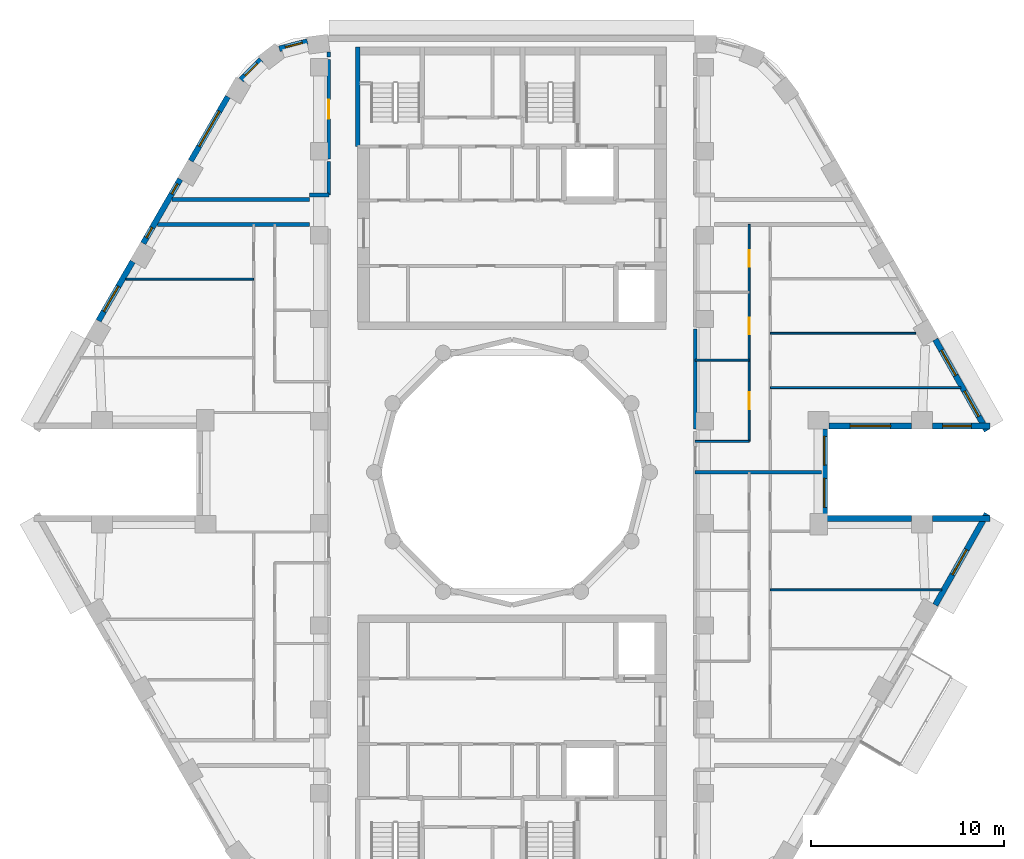
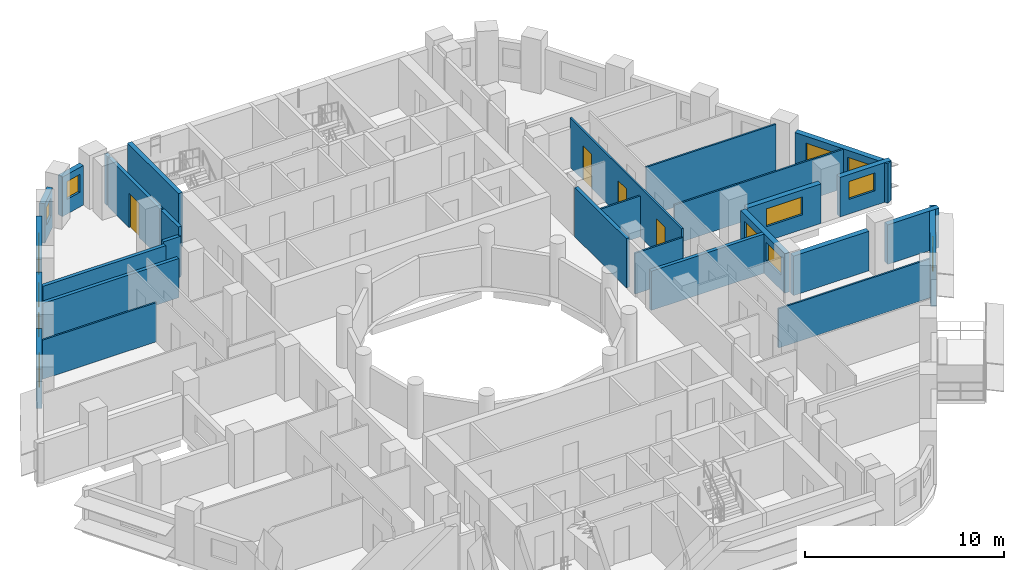
# One storey, part 6 of 12: 28 walls, 13 windows, 4 doors, 17 openings.
"""IFC4 building model written with IfcOpenShell, lengths in metres."""

from ifc_helpers import new_model, si_unit, direction, frame, frame_2d, origin, place, context, subcontext, project, spatial, rectangle, extrude, material, layer, layer_set, type_object, element, fill, save


model = new_model("IFC4")

# Units and contexts
model_context = context("Model", 3, precision=1e-05, world=origin(), true_north=direction((0.0, 1.0)))
body_context = subcontext(model_context, "Body", "Model", "MODEL_VIEW")
ifc_project = project(units=[si_unit("LENGTHUNIT", "METRE"), si_unit("AREAUNIT", "SQUARE_METRE"), si_unit("VOLUMEUNIT", "CUBIC_METRE"), si_unit("PLANEANGLEUNIT", "RADIAN"), si_unit("MASSUNIT", "GRAM", prefix="KILO")], contexts=[model_context])

# Site, building, storey
site_placement = place(None, origin())
site = spatial("IfcSite", under=ifc_project, at=site_placement, CompositionType="ELEMENT")
building_placement = place(site_placement, origin())
building = spatial("IfcBuilding", under=site, at=building_placement, Name="Nakaniwa Court", CompositionType="ELEMENT")
storey_placement = place(building_placement, frame((0.0, 0.0, 232.800048828125)))
storey = spatial("IfcBuildingStorey", under=building, at=storey_placement, Name="L60", CompositionType="ELEMENT", Elevation=232.800048828125)

# Walls
ifc_material_1 = material(Name="Acoustic double stud partition")
ifc_layer_1 = layer(ifc_material_1, 0.199951171875)
ifc_layer_set_1 = layer_set([ifc_layer_1], Name="Acoustic double stud partition")
wall_type_1 = type_object("IfcWallType", Name="Acoustic double stud partition 200", PredefinedType="PARTITIONING", material=ifc_layer_set_1)
wall_1_placement = place(storey_placement, frame((89.5, 82.237060546875, 0.0), z_axis=(0.0, 0.0, 1.0), x_axis=(0.0, 1.0, 0.0)))
element("IfcWall", 1, at=wall_1_placement, inside=storey, type_object=wall_type_1, Name="Partition PW-062", PredefinedType="PARTITIONING", context=body_context, shape_type="SweptSolid", body=[
    extrude(rectangle(XDim=5.18603515625, YDim=0.199951171875, at=frame_2d((2.593017578125, 0.0))), origin(), (0.0, 0.0, 1.0), 3.02490234375),
])
wall_2_placement = place(storey_placement, frame((61.611328125, 92.85009765625, 0.0), z_axis=(0.0, 0.0, 1.0), x_axis=(1.0, 0.0, 0.0)))
element("IfcWall", 2, at=wall_2_placement, inside=storey, type_object=wall_type_1, Name="Partition PW-067", PredefinedType="PARTITIONING", context=body_context, shape_type="SweptSolid", body=[
    extrude(rectangle(XDim=7.888671875, YDim=0.199951171875, at=frame_2d((3.9443359375, 0.0))), origin(), (0.0, 0.0, 1.0), 2.405029296875),
])
wall_3_placement = place(storey_placement, frame((69.5, 94.375, 0.0), z_axis=(0.0, 0.0, 1.0), x_axis=(1.0, 0.0, 0.0)))
element("IfcWall", 3, at=wall_3_placement, inside=storey, type_object=wall_type_1, Name="Partition PW-069", PredefinedType="PARTITIONING", context=body_context, shape_type="SweptSolid", body=[
    extrude(rectangle(XDim=1.0, YDim=0.199951171875, at=frame_2d((0.5, 0.0))), origin(), (0.0, 0.0, 1.0), 2.5048828125),
])
wall_4_placement = place(storey_placement, frame((62.36181640625, 94.14990234375, 0.0), z_axis=(0.0, 0.0, 1.0), x_axis=(1.0, 0.0, 0.0)))
element("IfcWall", 4, at=wall_4_placement, inside=storey, type_object=wall_type_1, Name="Partition PW-071", PredefinedType="PARTITIONING", context=body_context, shape_type="SweptSolid", body=[
    extrude(rectangle(XDim=7.13818359375, YDim=0.199951171875, at=frame_2d((3.569091796875, 0.0))), origin(), (0.0, 0.0, 1.0), 2.405029296875),
])
wall_5_placement = place(storey_placement, frame((70.5, 94.3720703125, 0.0), z_axis=(0.0, 0.0, 1.0), x_axis=(0.0, 1.0, 0.0)))
element("IfcWall", 5, at=wall_5_placement, inside=storey, type_object=wall_type_1, Name="Partition PW-087", PredefinedType="PARTITIONING", context=body_context, shape_type="SweptSolid", body=[
    extrude(rectangle(XDim=1.7509765625, YDim=0.199951171875, at=frame_2d((0.87548828125, 0.0))), origin(), (0.0, 0.0, 1.0), 3.02490234375),
])

# Wall, opening, door
wall_6_placement = place(storey_placement, frame((70.5, 96.237060546875, 0.0), z_axis=(0.0, 0.0, 1.0), x_axis=(0.0, 1.0, 0.0)))
wall_6 = element("IfcWall", 6, at=wall_6_placement, inside=storey, type_object=wall_type_1, Name="Partition PW-088", PredefinedType="PARTITIONING", context=body_context, shape_type="SweptSolid", body=[
    extrude(rectangle(XDim=5.176025390625, YDim=0.199951171875, at=frame_2d((2.587890625, 0.0))), origin(), (0.0, 0.0, 1.0), 3.02490234375),
])
opening_1_placement = place(wall_6_placement, frame((2.087890625, 0.0, 0.0)))
opening_1 = element("IfcOpeningElement", 7, at=opening_1_placement, cuts=wall_6, Name="Opening D-02-05", PredefinedType="OPENING", context=body_context, shape_type="SweptSolid", body=[
    extrude(rectangle(XDim=1.0, YDim=2.10009765625, at=frame_2d((0.5, 1.050048828125))), frame((0.0, 0.10986328125, 0.0), z_axis=(0.0, -1.0, 0.0), x_axis=(1.0, 0.0, 0.0)), (0.0, 0.0, 1.0), 0.219970703125),
])
ifc_material_2 = material(Name="Solid core timber door set, black veneer", Category="wood")
door_type_1 = type_object("IfcDoorType", Name="Internal door 1000", OperationType="NOTDEFINED", PredefinedType="DOOR", material=ifc_material_2)
door_1_placement = place(opening_1_placement, origin())
door_1 = element("IfcDoor", 8, at=door_1_placement, inside=storey, type_object=door_type_1, Name="Door D-02-05 L60-061", OperationType="SINGLE_SWING_RIGHT", OverallHeight=2.10009765625, OverallWidth=1.0, PredefinedType="DOOR", context=body_context, shape_type="SweptSolid", body=[
    extrude(rectangle(XDim=1.0, YDim=2.10009765625, at=frame_2d((0.5, 1.050048828125))), frame((0.0, 0.02490234375, 0.0), z_axis=(0.0, -1.0, 0.0), x_axis=(1.0, 0.0, 0.0)), (0.0, 0.0, 1.0), 0.050048828125),
])
fill(opening_1, door_1)

# Walls
wall_7_placement = place(storey_placement, frame((70.5, 101.527099609375, 0.0), z_axis=(0.0, 0.0, 1.0), x_axis=(0.0, 1.0, 0.0)))
element("IfcWall", 9, at=wall_7_placement, inside=storey, type_object=wall_type_1, Name="Partition PW-089", PredefinedType="PARTITIONING", context=body_context, shape_type="SweptSolid", body=[
    extrude(rectangle(XDim=0.273681640625, YDim=0.199951171875, at=frame_2d((0.13671875, 0.0))), origin(), (0.0, 0.0, 1.0), 3.02490234375),
])
wall_8_placement = place(storey_placement, frame((89.5, 80.0, 0.0), z_axis=(0.0, 0.0, 1.0), x_axis=(1.0, 0.0, 0.0)))
element("IfcWall", 10, at=wall_8_placement, inside=storey, type_object=wall_type_1, Name="Partition PW-095", PredefinedType="PARTITIONING", context=body_context, shape_type="SweptSolid", body=[
    extrude(rectangle(XDim=6.549560546875, YDim=0.199951171875, at=frame_2d((3.27490234375, 0.0))), origin(), (0.0, 0.0, 1.0), 2.405029296875),
])

# Wall, opening, window
ifc_material_3 = material(Name="Charcoal ceramic cladding")
ifc_layer_2 = layer(ifc_material_3, 0.02, Name="Ceramic cladding")
ifc_material_4 = material(Name="Ventilated air cavity")
ifc_layer_3 = layer(ifc_material_4, 0.04, ventilated=True, Name="Ventilated cavity")
ifc_material_5 = material(Name="Mineral wool insulation")
ifc_layer_4 = layer(ifc_material_5, 0.1, Name="Insulation")
ifc_material_6 = material(Name="Cement bonded sheathing board")
ifc_layer_5 = layer(ifc_material_6, 0.012, Name="Sheathing")
ifc_material_7 = material(Name="Cold-formed galvanised stud frame with mineral wool infill")
ifc_layer_6 = layer(ifc_material_7, 0.1, Name="Stud frame")
ifc_material_8 = material(Name="Fire-rated gypsum plasterboard lining")
ifc_layer_7 = layer(ifc_material_8, 0.028, Name="Lining")
ifc_layer_set_2 = layer_set([ifc_layer_2, ifc_layer_3, ifc_layer_4, ifc_layer_5, ifc_layer_6, ifc_layer_7], Name="Charcoal ceramic faced external wall system")
wall_type_2 = type_object("IfcWallType", Name="Black ceramic faced external wall 300", PredefinedType="SOLIDWALL", material=ifc_layer_set_2)
wall_9_placement = place(storey_placement, frame((96.445556640625, 82.39990234375, 0.0), z_axis=(0.0, 0.0, 1.0), x_axis=(1.0, 0.0, 0.0)))
wall_9 = element("IfcWall", 11, at=wall_9_placement, inside=storey, type_object=wall_type_2, Name="L60 external wall 00", PredefinedType="SOLIDWALL", context=body_context, shape_type="SweptSolid", body=[
    extrude(rectangle(XDim=4.2724609375, YDim=0.300048828125, at=frame_2d((2.13623046875, 0.0))), origin(), (0.0, 0.0, 1.0), 2.425048828125),
])
opening_2_placement = place(wall_9_placement, frame((1.086181640625, 0.0, 0.89990234375)))
opening_2 = element("IfcOpeningElement", 12, at=opening_2_placement, cuts=wall_9, Name="Opening W7.01", PredefinedType="OPENING", context=body_context, shape_type="SweptSolid", body=[
    extrude(rectangle(XDim=2.10009765625, YDim=1.10009765625, at=frame_2d((1.050048828125, 0.550048828125))), frame((0.0, 0.159912109375, 0.0), z_axis=(0.0, -1.0, 0.0), x_axis=(1.0, 0.0, 0.0)), (0.0, 0.0, 1.0), 0.320068359375),
])
ifc_material_9 = material(Name="Black anodised aluminium frame with dark low-E laminated double glazing", Category="aluminium")
window_type_1 = type_object("IfcWindowType", Name="Dark glass window 2100x1100 sill 900", PartitioningType="SINGLE_PANEL", PredefinedType="WINDOW", material=ifc_material_9)
window_1_placement = place(opening_2_placement, origin())
window_1 = element("IfcWindow", 13, at=window_1_placement, inside=storey, type_object=window_type_1, Name="L60 living window 00-0", OverallHeight=1.10009765625, OverallWidth=2.10009765625, PartitioningType="SINGLE_PANEL", PredefinedType="WINDOW", context=body_context, shape_type="SweptSolid", body=[
    extrude(rectangle(XDim=2.10009765625, YDim=1.10009765625, at=frame_2d((1.050048828125, 0.550048828125))), frame((0.0, 0.030029296875, 0.0), z_axis=(0.0, -1.0, 0.0), x_axis=(1.0, 0.0, 0.0)), (0.0, 0.0, 1.0), 0.06005859375),
])
fill(opening_2, window_1)

wall_10_placement = place(storey_placement, frame((101.81005859375, 82.39990234375, 0.0), z_axis=(0.0, 0.0, 1.0), x_axis=(1.0, 0.0, 0.0)))
wall_10 = element("IfcWall", 14, at=wall_10_placement, inside=storey, type_object=wall_type_2, Name="L60 external wall 01", PredefinedType="SOLIDWALL", context=body_context, shape_type="SweptSolid", body=[
    extrude(rectangle(XDim=2.98779296875, YDim=0.300048828125, at=frame_2d((1.493896484375, 0.0))), origin(), (0.0, 0.0, 1.0), 2.425048828125),
])
opening_3_placement = place(wall_10_placement, frame((0.51904296875, 0.0, 0.89990234375)))
opening_3 = element("IfcOpeningElement", 15, at=opening_3_placement, cuts=wall_10, Name="Opening W5.02", PredefinedType="OPENING", context=body_context, shape_type="SweptSolid", body=[
    extrude(rectangle(XDim=1.5, YDim=1.10009765625, at=frame_2d((0.75, 0.550048828125))), frame((0.0, 0.159912109375, 0.0), z_axis=(0.0, -1.0, 0.0), x_axis=(1.0, 0.0, 0.0)), (0.0, 0.0, 1.0), 0.320068359375),
])
window_type_2 = type_object("IfcWindowType", Name="Dark glass window 1500x1100 sill 900", PartitioningType="SINGLE_PANEL", PredefinedType="WINDOW", material=ifc_material_9)
window_2_placement = place(opening_3_placement, origin())
window_2 = element("IfcWindow", 16, at=window_2_placement, inside=storey, type_object=window_type_2, Name="L60 living window 01-0", OverallHeight=1.10009765625, OverallWidth=1.5, PartitioningType="SINGLE_PANEL", PredefinedType="WINDOW", context=body_context, shape_type="SweptSolid", body=[
    extrude(rectangle(XDim=1.5, YDim=1.10009765625, at=frame_2d((0.75, 0.550048828125))), frame((0.0, 0.030029296875, 0.0), z_axis=(0.0, -1.0, 0.0), x_axis=(1.0, 0.0, 0.0)), (0.0, 0.0, 1.0), 0.06005859375),
])
fill(opening_3, window_2)

# Wall, openings, windows
wall_11_placement = place(storey_placement, frame((104.627197265625, 82.153564453125, 0.0), z_axis=(0.0, 0.0, 1.0), x_axis=(-0.492080931903, 0.870549456641, 0.0)))
wall_11 = element("IfcWall", 17, at=wall_11_placement, inside=storey, type_object=wall_type_2, Name="L60 external wall 02", PredefinedType="SOLIDWALL", context=body_context, shape_type="SweptSolid", body=[
    extrude(rectangle(XDim=5.436767578125, YDim=0.300048828125, at=frame_2d((2.71826171875, 0.0))), origin(), (0.0, 0.0, 1.0), 2.425048828125),
])
opening_4_placement = place(wall_11_placement, frame((0.857177734375, 0.0, 0.89990234375)))
opening_4 = element("IfcOpeningElement", 18, at=opening_4_placement, cuts=wall_11, Name="Opening W5.03", PredefinedType="OPENING", context=body_context, shape_type="SweptSolid", body=[
    extrude(rectangle(XDim=1.5, YDim=1.10009765625, at=frame_2d((0.75, 0.550048828125))), frame((0.0, 0.159912109375, 0.0), z_axis=(0.0, -1.0, 0.0), x_axis=(1.0, 0.0, 0.0)), (0.0, 0.0, 1.0), 0.320068359375),
])
opening_5_placement = place(wall_11_placement, frame((3.287109375, 0.0, 0.89990234375)))
opening_5 = element("IfcOpeningElement", 19, at=opening_5_placement, cuts=wall_11, Name="Opening W5.04", PredefinedType="OPENING", context=body_context, shape_type="SweptSolid", body=[
    extrude(rectangle(XDim=1.5, YDim=1.10009765625, at=frame_2d((0.75, 0.550048828125))), frame((0.0, 0.159912109375, 0.0), z_axis=(0.0, -1.0, 0.0), x_axis=(1.0, 0.0, 0.0)), (0.0, 0.0, 1.0), 0.320068359375),
])
window_3_placement = place(opening_4_placement, origin())
window_3 = element("IfcWindow", 20, at=window_3_placement, inside=storey, type_object=window_type_2, Name="L60 living window 02-0", OverallHeight=1.10009765625, OverallWidth=1.5, PartitioningType="SINGLE_PANEL", PredefinedType="WINDOW", context=body_context, shape_type="SweptSolid", body=[
    extrude(rectangle(XDim=1.5, YDim=1.10009765625, at=frame_2d((0.75, 0.550048828125))), frame((0.0, 0.030029296875, 0.0), z_axis=(0.0, -1.0, 0.0), x_axis=(1.0, 0.0, 0.0)), (0.0, 0.0, 1.0), 0.06005859375),
])
fill(opening_4, window_3)
window_4_placement = place(opening_5_placement, origin())
window_4 = element("IfcWindow", 21, at=window_4_placement, inside=storey, type_object=window_type_2, Name="L60 bedroom window 02-1", OverallHeight=1.10009765625, OverallWidth=1.5, PartitioningType="SINGLE_PANEL", PredefinedType="WINDOW", context=body_context, shape_type="SweptSolid", body=[
    extrude(rectangle(XDim=1.5, YDim=1.10009765625, at=frame_2d((0.75, 0.550048828125))), frame((0.0, 0.030029296875, 0.0), z_axis=(0.0, -1.0, 0.0), x_axis=(1.0, 0.0, 0.0)), (0.0, 0.0, 1.0), 0.06005859375),
])
fill(opening_5, window_4)

# Wall, opening, window
wall_12_placement = place(storey_placement, frame((69.386474609375, 102.333251953125, 0.0), z_axis=(0.0, 0.0, 1.0), x_axis=(-0.968895303033, -0.247470991757, 0.0)))
wall_12 = element("IfcWall", 22, at=wall_12_placement, inside=storey, type_object=wall_type_2, Name="L60 external wall 09", PredefinedType="SOLIDWALL", context=body_context, shape_type="SweptSolid", body=[
    extrude(rectangle(XDim=1.50048828125, YDim=0.300048828125, at=frame_2d((0.750244140625, 0.0))), origin(), (0.0, 0.0, 1.0), 2.425048828125),
])
opening_6_placement = place(wall_12_placement, frame((0.27587890625, 0.0, 0.89990234375)))
opening_6 = element("IfcOpeningElement", 23, at=opening_6_placement, cuts=wall_12, Name="Opening W9.11", PredefinedType="OPENING", context=body_context, shape_type="SweptSolid", body=[
    extrude(rectangle(XDim=0.89990234375, YDim=1.10009765625, at=frame_2d((0.449951171875, 0.550048828125))), frame((0.0, 0.159912109375, 0.0), z_axis=(0.0, -1.0, 0.0), x_axis=(1.0, 0.0, 0.0)), (0.0, 0.0, 1.0), 0.320068359375),
])
window_type_3 = type_object("IfcWindowType", Name="Dark glass window 900x1100 sill 900", PartitioningType="SINGLE_PANEL", PredefinedType="WINDOW", material=ifc_material_9)
window_5_placement = place(opening_6_placement, origin())
window_5 = element("IfcWindow", 24, at=window_5_placement, inside=storey, type_object=window_type_3, Name="L60 habitable room window 09-0", OverallHeight=1.10009765625, OverallWidth=0.89990234375, PartitioningType="SINGLE_PANEL", PredefinedType="WINDOW", context=body_context, shape_type="SweptSolid", body=[
    extrude(rectangle(XDim=0.89990234375, YDim=1.10009765625, at=frame_2d((0.449951171875, 0.550048828125))), frame((0.0, 0.030029296875, 0.0), z_axis=(0.0, -1.0, 0.0), x_axis=(1.0, 0.0, 0.0)), (0.0, 0.0, 1.0), 0.06005859375),
])
fill(opening_6, window_5)

wall_13_placement = place(storey_placement, frame((66.99560546875, 101.388427734375, 0.0), z_axis=(0.0, 0.0, 1.0), x_axis=(-0.708589353117, -0.705621094249, 0.0)))
wall_13 = element("IfcWall", 25, at=wall_13_placement, inside=storey, type_object=wall_type_2, Name="L60 external wall 10", PredefinedType="SOLIDWALL", context=body_context, shape_type="SweptSolid", body=[
    extrude(rectangle(XDim=1.48046875, YDim=0.300048828125, at=frame_2d((0.740234375, 0.0))), origin(), (0.0, 0.0, 1.0), 2.425048828125),
])
opening_7_placement = place(wall_13_placement, frame((0.27978515625, 0.0, 0.89990234375)))
opening_7 = element("IfcOpeningElement", 26, at=opening_7_placement, cuts=wall_13, Name="Opening W9.12", PredefinedType="OPENING", context=body_context, shape_type="SweptSolid", body=[
    extrude(rectangle(XDim=0.89990234375, YDim=1.10009765625, at=frame_2d((0.449951171875, 0.550048828125))), frame((0.0, 0.159912109375, 0.0), z_axis=(0.0, -1.0, 0.0), x_axis=(1.0, 0.0, 0.0)), (0.0, 0.0, 1.0), 0.320068359375),
])
window_6_placement = place(opening_7_placement, origin())
window_6 = element("IfcWindow", 27, at=window_6_placement, inside=storey, type_object=window_type_3, Name="L60 habitable room window 10-0", OverallHeight=1.10009765625, OverallWidth=0.89990234375, PartitioningType="SINGLE_PANEL", PredefinedType="WINDOW", context=body_context, shape_type="SweptSolid", body=[
    extrude(rectangle(XDim=0.89990234375, YDim=1.10009765625, at=frame_2d((0.449951171875, 0.550048828125))), frame((0.0, 0.030029296875, 0.0), z_axis=(0.0, -1.0, 0.0), x_axis=(1.0, 0.0, 0.0)), (0.0, 0.0, 1.0), 0.06005859375),
])
fill(opening_7, window_6)

wall_14_placement = place(storey_placement, frame((65.26416015625, 99.476806640625, 0.0), z_axis=(0.0, 0.0, 1.0), x_axis=(-0.499984490703, -0.866034357896, 0.0)))
wall_14 = element("IfcWall", 28, at=wall_14_placement, inside=storey, type_object=wall_type_2, Name="L60 external wall 11", PredefinedType="SOLIDWALL", context=body_context, shape_type="SweptSolid", body=[
    extrude(rectangle(XDim=3.84423828125, YDim=0.300048828125, at=frame_2d((1.922119140625, 0.0))), origin(), (0.0, 0.0, 1.0), 2.425048828125),
])
opening_8_placement = place(wall_14_placement, frame((0.8720703125, 0.0, 0.89990234375)))
opening_8 = element("IfcOpeningElement", 29, at=opening_8_placement, cuts=wall_14, Name="Opening W7.13", PredefinedType="OPENING", context=body_context, shape_type="SweptSolid", body=[
    extrude(rectangle(XDim=2.10009765625, YDim=1.10009765625, at=frame_2d((1.050048828125, 0.550048828125))), frame((0.0, 0.159912109375, 0.0), z_axis=(0.0, -1.0, 0.0), x_axis=(1.0, 0.0, 0.0)), (0.0, 0.0, 1.0), 0.320068359375),
])
window_7_placement = place(opening_8_placement, origin())
window_7 = element("IfcWindow", 30, at=window_7_placement, inside=storey, type_object=window_type_1, Name="L60 habitable room window 11-0", OverallHeight=1.10009765625, OverallWidth=2.10009765625, PartitioningType="SINGLE_PANEL", PredefinedType="WINDOW", context=body_context, shape_type="SweptSolid", body=[
    extrude(rectangle(XDim=2.10009765625, YDim=1.10009765625, at=frame_2d((1.050048828125, 0.550048828125))), frame((0.0, 0.030029296875, 0.0), z_axis=(0.0, -1.0, 0.0), x_axis=(1.0, 0.0, 0.0)), (0.0, 0.0, 1.0), 0.06005859375),
])
fill(opening_8, window_7)

# Wall, openings, windows
wall_15_placement = place(storey_placement, frame((62.7958984375, 95.201904296875, 0.0), z_axis=(0.0, 0.0, 1.0), x_axis=(-0.499984490703, -0.866034357896, 0.0)))
wall_15 = element("IfcWall", 31, at=wall_15_placement, inside=storey, type_object=wall_type_2, Name="L60 external wall 12", PredefinedType="SOLIDWALL", context=body_context, shape_type="SweptSolid", body=[
    extrude(rectangle(XDim=3.84423828125, YDim=0.300048828125, at=frame_2d((1.922119140625, 0.0))), origin(), (0.0, 0.0, 1.0), 2.425048828125),
])
opening_9_placement = place(wall_15_placement, frame((0.283203125, 0.0, 0.89990234375)))
opening_9 = element("IfcOpeningElement", 32, at=opening_9_placement, cuts=wall_15, Name="Opening W8.14", PredefinedType="OPENING", context=body_context, shape_type="SweptSolid", body=[
    extrude(rectangle(XDim=0.60009765625, YDim=1.10009765625, at=frame_2d((0.300048828125, 0.550048828125))), frame((0.0, 0.159912109375, 0.0), z_axis=(0.0, -1.0, 0.0), x_axis=(1.0, 0.0, 0.0)), (0.0, 0.0, 1.0), 0.320068359375),
])
opening_10_placement = place(wall_15_placement, frame((2.906005859375, 0.0, 0.89990234375)))
opening_10 = element("IfcOpeningElement", 33, at=opening_10_placement, cuts=wall_15, Name="Opening W8.15", PredefinedType="OPENING", context=body_context, shape_type="SweptSolid", body=[
    extrude(rectangle(XDim=0.60009765625, YDim=1.10009765625, at=frame_2d((0.300048828125, 0.550048828125))), frame((0.0, 0.159912109375, 0.0), z_axis=(0.0, -1.0, 0.0), x_axis=(1.0, 0.0, 0.0)), (0.0, 0.0, 1.0), 0.320068359375),
])
window_type_4 = type_object("IfcWindowType", Name="Dark glass window 600x1100 sill 900", PartitioningType="SINGLE_PANEL", PredefinedType="WINDOW", material=ifc_material_9)
window_8_placement = place(opening_9_placement, origin())
window_8 = element("IfcWindow", 34, at=window_8_placement, inside=storey, type_object=window_type_4, Name="L60 habitable room window 12-0", OverallHeight=1.10009765625, OverallWidth=0.60009765625, PartitioningType="SINGLE_PANEL", PredefinedType="WINDOW", context=body_context, shape_type="SweptSolid", body=[
    extrude(rectangle(XDim=0.60009765625, YDim=1.10009765625, at=frame_2d((0.300048828125, 0.550048828125))), frame((0.0, 0.030029296875, 0.0), z_axis=(0.0, -1.0, 0.0), x_axis=(1.0, 0.0, 0.0)), (0.0, 0.0, 1.0), 0.06005859375),
])
fill(opening_9, window_8)
window_9_placement = place(opening_10_placement, origin())
window_9 = element("IfcWindow", 35, at=window_9_placement, inside=storey, type_object=window_type_4, Name="L60 bedroom window 12-2", OverallHeight=1.10009765625, OverallWidth=0.60009765625, PartitioningType="SINGLE_PANEL", PredefinedType="WINDOW", context=body_context, shape_type="SweptSolid", body=[
    extrude(rectangle(XDim=0.60009765625, YDim=1.10009765625, at=frame_2d((0.300048828125, 0.550048828125))), frame((0.0, 0.030029296875, 0.0), z_axis=(0.0, -1.0, 0.0), x_axis=(1.0, 0.0, 0.0)), (0.0, 0.0, 1.0), 0.06005859375),
])
fill(opening_10, window_9)

# Wall, opening, window
wall_16_placement = place(storey_placement, frame((60.327880859375, 90.927001953125, 0.0), z_axis=(0.0, 0.0, 1.0), x_axis=(-0.500010404316, -0.866019396766, 0.0)))
wall_16 = element("IfcWall", 36, at=wall_16_placement, inside=storey, type_object=wall_type_2, Name="L60 external wall 13", PredefinedType="SOLIDWALL", context=body_context, shape_type="SweptSolid", body=[
    extrude(rectangle(XDim=3.54736328125, YDim=0.300048828125, at=frame_2d((1.773681640625, 0.0))), origin(), (0.0, 0.0, 1.0), 2.425048828125),
])
opening_11_placement = place(wall_16_placement, frame((1.486328125, 0.0, 0.89990234375)))
opening_11 = element("IfcOpeningElement", 37, at=opening_11_placement, cuts=wall_16, Name="Opening W5.16", PredefinedType="OPENING", context=body_context, shape_type="SweptSolid", body=[
    extrude(rectangle(XDim=1.5, YDim=1.10009765625, at=frame_2d((0.75, 0.550048828125))), frame((0.0, 0.159912109375, 0.0), z_axis=(0.0, -1.0, 0.0), x_axis=(1.0, 0.0, 0.0)), (0.0, 0.0, 1.0), 0.320068359375),
])
window_10_placement = place(opening_11_placement, origin())
window_10 = element("IfcWindow", 38, at=window_10_placement, inside=storey, type_object=window_type_2, Name="L60 living window 13-1", OverallHeight=1.10009765625, OverallWidth=1.5, PartitioningType="SINGLE_PANEL", PredefinedType="WINDOW", context=body_context, shape_type="SweptSolid", body=[
    extrude(rectangle(XDim=1.5, YDim=1.10009765625, at=frame_2d((0.75, 0.550048828125))), frame((0.0, 0.030029296875, 0.0), z_axis=(0.0, -1.0, 0.0), x_axis=(1.0, 0.0, 0.0)), (0.0, 0.0, 1.0), 0.06005859375),
])
fill(opening_11, window_10)

wall_17_placement = place(storey_placement, frame((101.951904296875, 73.113525390625, 0.0), z_axis=(0.0, 0.0, 1.0), x_axis=(0.492080931903, 0.870549456641, 0.0)))
wall_17 = element("IfcWall", 39, at=wall_17_placement, inside=storey, type_object=wall_type_2, Name="L60 external wall 32", PredefinedType="SOLIDWALL", context=body_context, shape_type="SweptSolid", body=[
    extrude(rectangle(XDim=5.436767578125, YDim=0.300048828125, at=frame_2d((2.71826171875, 0.0))), origin(), (0.0, 0.0, 1.0), 2.425048828125),
])
opening_12_placement = place(wall_17_placement, frame((1.806884765625, 0.0, 0.89990234375)))
opening_12 = element("IfcOpeningElement", 40, at=opening_12_placement, cuts=wall_17, Name="Opening W5.30", PredefinedType="OPENING", context=body_context, shape_type="SweptSolid", body=[
    extrude(rectangle(XDim=1.5, YDim=1.10009765625, at=frame_2d((0.75, 0.550048828125))), frame((0.0, 0.159912109375, 0.0), z_axis=(0.0, -1.0, 0.0), x_axis=(1.0, 0.0, 0.0)), (0.0, 0.0, 1.0), 0.320068359375),
])
window_11_placement = place(opening_12_placement, origin())
window_11 = element("IfcWindow", 41, at=window_11_placement, inside=storey, type_object=window_type_2, Name="L60 bedroom window 32-1", OverallHeight=1.10009765625, OverallWidth=1.5, PartitioningType="SINGLE_PANEL", PredefinedType="WINDOW", context=body_context, shape_type="SweptSolid", body=[
    extrude(rectangle(XDim=1.5, YDim=1.10009765625, at=frame_2d((0.75, 0.550048828125))), frame((0.0, 0.030029296875, 0.0), z_axis=(0.0, -1.0, 0.0), x_axis=(1.0, 0.0, 0.0)), (0.0, 0.0, 1.0), 0.06005859375),
])
fill(opening_12, window_11)

# Walls
wall_18_placement = place(storey_placement, frame((104.7978515625, 77.60009765625, 0.0), z_axis=(0.0, 0.0, 1.0), x_axis=(-1.0, 0.0, 0.0)))
element("IfcWall", 42, at=wall_18_placement, inside=storey, type_object=wall_type_2, Name="L60 external wall 33", PredefinedType="SOLIDWALL", context=body_context, shape_type="SweptSolid", body=[
    extrude(rectangle(XDim=2.98779296875, YDim=0.300048828125, at=frame_2d((1.493896484375, 0.0))), origin(), (0.0, 0.0, 1.0), 2.425048828125),
])
wall_19_placement = place(storey_placement, frame((100.718017578125, 77.60009765625, 0.0), z_axis=(0.0, 0.0, 1.0), x_axis=(-1.0, 0.0, 0.0)))
element("IfcWall", 43, at=wall_19_placement, inside=storey, type_object=wall_type_2, Name="L60 external wall 34", PredefinedType="SOLIDWALL", context=body_context, shape_type="SweptSolid", body=[
    extrude(rectangle(XDim=4.37255859375, YDim=0.300048828125, at=frame_2d((2.186279296875, 0.0))), origin(), (0.0, 0.0, 1.0), 2.425048828125),
])

# Wall, openings, windows
wall_20_placement = place(storey_placement, frame((96.199462890625, 77.845947265625, 0.0), z_axis=(0.0, 0.0, 1.0), x_axis=(0.0, 1.0, 0.0)))
wall_20 = element("IfcWall", 44, at=wall_20_placement, inside=storey, type_object=wall_type_2, Name="L60 external wall 35", PredefinedType="SOLIDWALL", context=body_context, shape_type="SweptSolid", body=[
    extrude(rectangle(XDim=4.407958984375, YDim=0.300048828125, at=frame_2d((2.2041015625, 0.0))), origin(), (0.0, 0.0, 1.0), 2.425048828125),
])
opening_13_placement = place(wall_20_placement, frame((0.339111328125, 0.0, 0.89990234375)))
opening_13 = element("IfcOpeningElement", 45, at=opening_13_placement, cuts=wall_20, Name="Opening W5.31", PredefinedType="OPENING", context=body_context, shape_type="SweptSolid", body=[
    extrude(rectangle(XDim=1.5, YDim=1.10009765625, at=frame_2d((0.75, 0.550048828125))), frame((0.0, 0.159912109375, 0.0), z_axis=(0.0, -1.0, 0.0), x_axis=(1.0, 0.0, 0.0)), (0.0, 0.0, 1.0), 0.320068359375),
])
opening_14_placement = place(wall_20_placement, frame((2.51904296875, 0.0, 0.89990234375)))
opening_14 = element("IfcOpeningElement", 46, at=opening_14_placement, cuts=wall_20, Name="Opening W5.32", PredefinedType="OPENING", context=body_context, shape_type="SweptSolid", body=[
    extrude(rectangle(XDim=1.5, YDim=1.10009765625, at=frame_2d((0.75, 0.550048828125))), frame((0.0, 0.159912109375, 0.0), z_axis=(0.0, -1.0, 0.0), x_axis=(1.0, 0.0, 0.0)), (0.0, 0.0, 1.0), 0.320068359375),
])
window_12_placement = place(opening_13_placement, origin())
window_12 = element("IfcWindow", 47, at=window_12_placement, inside=storey, type_object=window_type_2, Name="L60 bedroom window 35-0", OverallHeight=1.10009765625, OverallWidth=1.5, PartitioningType="SINGLE_PANEL", PredefinedType="WINDOW", context=body_context, shape_type="SweptSolid", body=[
    extrude(rectangle(XDim=1.5, YDim=1.10009765625, at=frame_2d((0.75, 0.550048828125))), frame((0.0, 0.030029296875, 0.0), z_axis=(0.0, -1.0, 0.0), x_axis=(1.0, 0.0, 0.0)), (0.0, 0.0, 1.0), 0.06005859375),
])
fill(opening_13, window_12)
window_13_placement = place(opening_14_placement, origin())
window_13 = element("IfcWindow", 48, at=window_13_placement, inside=storey, type_object=window_type_2, Name="L60 living window 35-1", OverallHeight=1.10009765625, OverallWidth=1.5, PartitioningType="SINGLE_PANEL", PredefinedType="WINDOW", context=body_context, shape_type="SweptSolid", body=[
    extrude(rectangle(XDim=1.5, YDim=1.10009765625, at=frame_2d((0.75, 0.550048828125))), frame((0.0, 0.030029296875, 0.0), z_axis=(0.0, -1.0, 0.0), x_axis=(1.0, 0.0, 0.0)), (0.0, 0.0, 1.0), 0.06005859375),
])
fill(opening_14, window_13)

# Wall
ifc_material_10 = material(Name="Concrete C80/100", Category="concrete")
ifc_layer_8 = layer(ifc_material_10, 0.25)
ifc_layer_set_3 = layer_set([ifc_layer_8], Name="Concrete C80/100")
wall_type_3 = type_object("IfcWallType", Name="Concrete core wall 250 C80", PredefinedType="SHEAR", material=ifc_layer_set_3)
wall_21_placement = place(storey_placement, frame((72.0, 96.89990234375, -0.275146484375), z_axis=(0.0, 0.0, 1.0), x_axis=(0.0, 1.0, 0.0)))
element("IfcWall", 49, at=wall_21_placement, inside=storey, type_object=wall_type_3, Name="Core wall SW-23", PredefinedType="SHEAR", context=body_context, shape_type="SweptSolid", body=[
    extrude(rectangle(XDim=5.150146484375, YDim=0.25, at=frame_2d((2.5751953125, 0.0))), origin(), (0.0, 0.0, 1.0), 3.300048828125),
])

# Wall, openings, doors
ifc_material_11 = material(Name="Single stud plasterboard partition")
ifc_layer_9 = layer(ifc_material_11, 0.10009765625)
ifc_layer_set_4 = layer_set([ifc_layer_9], Name="Single stud plasterboard partition")
wall_type_4 = type_object("IfcWallType", Name="Single stud plasterboard partition 100", PredefinedType="PARTITIONING", material=ifc_layer_set_4)
wall_22_placement = place(storey_placement, frame((92.300048828125, 81.60009765625, 0.0), z_axis=(0.0, 0.0, 1.0), x_axis=(0.0, 1.0, 0.0)))
wall_22 = element("IfcWall", 50, at=wall_22_placement, inside=storey, type_object=wall_type_4, Name="Partition PW-092", PredefinedType="PARTITIONING", context=body_context, shape_type="SweptSolid", body=[
    extrude(rectangle(XDim=11.25, YDim=0.10009765625, at=frame_2d((5.625, 0.0))), origin(), (0.0, 0.0, 1.0), 3.02490234375),
])
opening_15_placement = place(wall_22_placement, frame((1.658935546875, 0.0, 0.0)))
opening_15 = element("IfcOpeningElement", 51, at=opening_15_placement, cuts=wall_22, Name="Opening D-33-06", PredefinedType="OPENING", context=body_context, shape_type="SweptSolid", body=[
    extrude(rectangle(XDim=0.89990234375, YDim=2.10009765625, at=frame_2d((0.449951171875, 1.050048828125))), frame((0.0, 0.06005859375, 0.0), z_axis=(0.0, -1.0, 0.0), x_axis=(1.0, 0.0, 0.0)), (0.0, 0.0, 1.0), 0.1201171875),
])
opening_16_placement = place(wall_22_placement, frame((5.552001953125, 0.0, 0.0)))
opening_16 = element("IfcOpeningElement", 52, at=opening_16_placement, cuts=wall_22, Name="Opening D-03-03", PredefinedType="OPENING", context=body_context, shape_type="SweptSolid", body=[
    extrude(rectangle(XDim=0.85009765625, YDim=2.10009765625, at=frame_2d((0.425048828125, 1.050048828125))), frame((0.0, 0.06005859375, 0.0), z_axis=(0.0, -1.0, 0.0), x_axis=(1.0, 0.0, 0.0)), (0.0, 0.0, 1.0), 0.1201171875),
])
opening_17_placement = place(wall_22_placement, frame((9.06689453125, 0.0, 0.0)))
opening_17 = element("IfcOpeningElement", 53, at=opening_17_placement, cuts=wall_22, Name="Opening D-03-04", PredefinedType="OPENING", context=body_context, shape_type="SweptSolid", body=[
    extrude(rectangle(XDim=0.85009765625, YDim=2.10009765625, at=frame_2d((0.425048828125, 1.050048828125))), frame((0.0, 0.06005859375, 0.0), z_axis=(0.0, -1.0, 0.0), x_axis=(1.0, 0.0, 0.0)), (0.0, 0.0, 1.0), 0.1201171875),
])
ifc_material_12 = material(Name="Moisture sealed timber door set", Category="wood")
door_type_2 = type_object("IfcDoorType", Name="Bathroom door 850", OperationType="NOTDEFINED", PredefinedType="DOOR", material=ifc_material_12)
door_2_placement = place(opening_16_placement, origin())
door_2 = element("IfcDoor", 54, at=door_2_placement, inside=storey, type_object=door_type_2, Name="Door D-03-03 L60-040", OperationType="SINGLE_SWING_LEFT", OverallHeight=2.10009765625, OverallWidth=0.85009765625, PredefinedType="DOOR", context=body_context, shape_type="SweptSolid", body=[
    extrude(rectangle(XDim=0.85009765625, YDim=2.10009765625, at=frame_2d((0.425048828125, 1.050048828125))), frame((0.0, 0.02490234375, 0.0), z_axis=(0.0, -1.0, 0.0), x_axis=(1.0, 0.0, 0.0)), (0.0, 0.0, 1.0), 0.050048828125),
])
fill(opening_16, door_2)
door_3_placement = place(opening_17_placement, origin())
door_3 = element("IfcDoor", 55, at=door_3_placement, inside=storey, type_object=door_type_2, Name="Door D-03-04 L60-041", OperationType="SINGLE_SWING_RIGHT", OverallHeight=2.10009765625, OverallWidth=0.85009765625, PredefinedType="DOOR", context=body_context, shape_type="SweptSolid", body=[
    extrude(rectangle(XDim=0.85009765625, YDim=2.10009765625, at=frame_2d((0.425048828125, 1.050048828125))), frame((0.0, 0.02490234375, 0.0), z_axis=(0.0, -1.0, 0.0), x_axis=(1.0, 0.0, 0.0)), (0.0, 0.0, 1.0), 0.050048828125),
])
fill(opening_17, door_3)
door_type_3 = type_object("IfcDoorType", Name="Internal door 900", OperationType="NOTDEFINED", PredefinedType="DOOR", material=ifc_material_2)
door_4_placement = place(opening_15_placement, origin())
door_4 = element("IfcDoor", 56, at=door_4_placement, inside=storey, type_object=door_type_3, Name="Door D-33-06 L60-039", OperationType="SINGLE_SWING_RIGHT", OverallHeight=2.10009765625, OverallWidth=0.89990234375, PredefinedType="DOOR", context=body_context, shape_type="SweptSolid", body=[
    extrude(rectangle(XDim=0.89990234375, YDim=2.10009765625, at=frame_2d((0.449951171875, 1.050048828125))), frame((0.0, 0.02490234375, 0.0), z_axis=(0.0, -1.0, 0.0), x_axis=(1.0, 0.0, 0.0)), (0.0, 0.0, 1.0), 0.050048828125),
])
fill(opening_15, door_4)

# Walls
wall_23_placement = place(storey_placement, frame((93.39990234375, 73.89794921875, 0.0), z_axis=(0.0, 0.0, 1.0), x_axis=(1.0, 0.0, 0.0)))
element("IfcWall", 57, at=wall_23_placement, inside=storey, type_object=wall_type_4, Name="Partition PW-098", PredefinedType="PARTITIONING", context=body_context, shape_type="SweptSolid", body=[
    extrude(rectangle(XDim=8.884521484375, YDim=0.10009765625, at=frame_2d((4.4423828125, 0.0))), origin(), (0.0, 0.0, 1.0), 2.405029296875),
])
for number, where, z_axis, x_axis, name in (
    (58, (89.5, 85.819091796875, 0.0), (0.0, 0.0, 1.0), (1.0, 0.0, 0.0), "Partition PW-100"),
    (59, (89.5, 81.60009765625, 0.0), (0.0, 0.0, 1.0), (1.0, 0.0, 0.0), "Partition PW-101"),
):
    element("IfcWall", number, at=place(storey_placement, frame(where, z_axis=z_axis, x_axis=x_axis)), inside=storey, type_object=wall_type_4, Name=name, PredefinedType="PARTITIONING", context=body_context, shape_type="SweptSolid", body=[
        extrude(rectangle(XDim=2.800048828125, YDim=0.10009765625, at=frame_2d((1.39990234375, 0.0))), origin(), (0.0, 0.0, 1.0), 2.5048828125),
    ])
wall_24_placement = place(storey_placement, frame((93.39990234375, 84.387939453125, 0.0), z_axis=(0.0, 0.0, 1.0), x_axis=(1.0, 0.0, 0.0)))
element("IfcWall", 60, at=wall_24_placement, inside=storey, type_object=wall_type_4, Name="Partition PW-103", PredefinedType="PARTITIONING", context=body_context, shape_type="SweptSolid", body=[
    extrude(rectangle(XDim=9.87451171875, YDim=0.10009765625, at=frame_2d((4.937255859375, 0.0))), origin(), (0.0, 0.0, 1.0), 2.405029296875),
])
wall_25_placement = place(storey_placement, frame((93.39990234375, 87.208984375, 0.0), z_axis=(0.0, 0.0, 1.0), x_axis=(1.0, 0.0, 0.0)))
element("IfcWall", 61, at=wall_25_placement, inside=storey, type_object=wall_type_4, Name="Partition PW-104", PredefinedType="PARTITIONING", context=body_context, shape_type="SweptSolid", body=[
    extrude(rectangle(XDim=7.530029296875, YDim=0.10009765625, at=frame_2d((3.76513671875, 0.0))), origin(), (0.0, 0.0, 1.0), 3.02490234375),
])
wall_26_placement = place(storey_placement, frame((59.97705078125, 90.01904296875, 0.0), z_axis=(0.0, 0.0, 1.0), x_axis=(1.0, 0.0, 0.0)))
element("IfcWall", 62, at=wall_26_placement, inside=storey, type_object=wall_type_4, Name="Partition PW-119", PredefinedType="PARTITIONING", context=body_context, shape_type="SweptSolid", body=[
    extrude(rectangle(XDim=6.623046875, YDim=0.10009765625, at=frame_2d((3.3115234375, 0.0))), origin(), (0.0, 0.0, 1.0), 2.405029296875),
])

save(model, "model.ifc")
